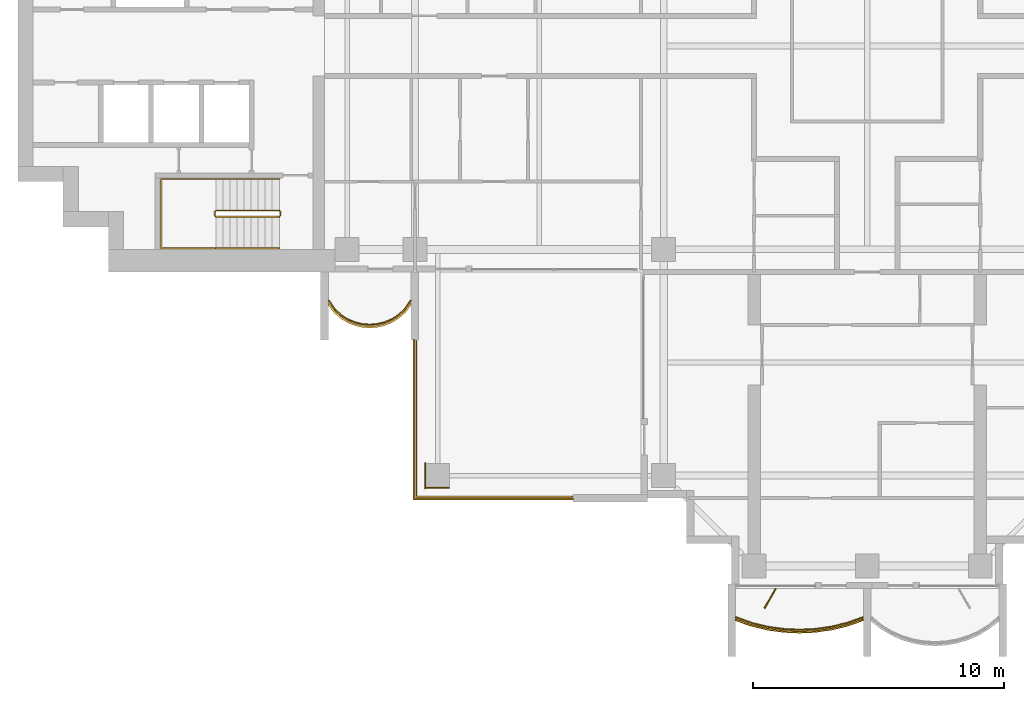
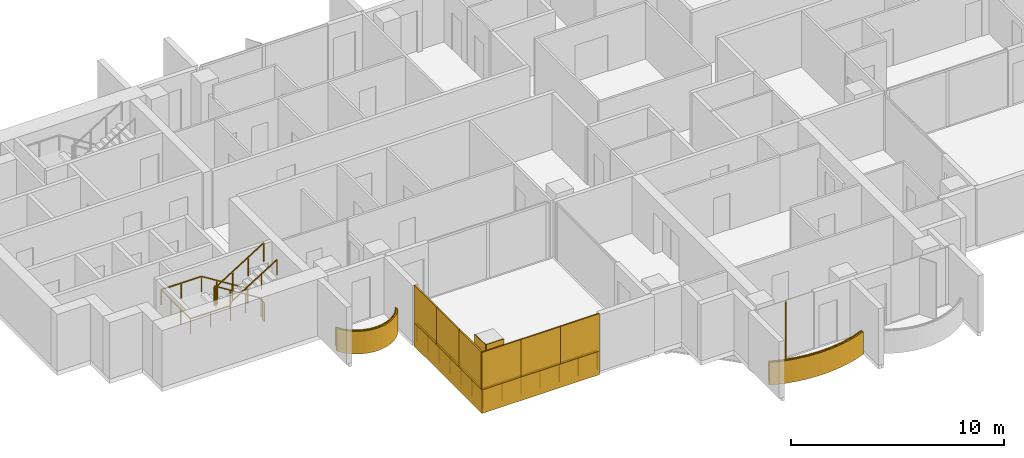
# One storey, part 15 of 18: 11 coverings, 5 railings, 1 shading device.
"""IFC4 building model written with IfcOpenShell, lengths in metres."""

from ifc_helpers import new_model, si_unit, direction, frame, origin, origin_2d, place, context, subcontext, project, spatial, polyline, rectangle, outline, extrude, material, layer, layer_set, type_object, element, save


model = new_model("IFC4")

# Units and contexts
model_context = context("Model", 3, precision=1e-05, world=origin(), true_north=direction((0.0, 1.0)))
body_context = subcontext(model_context, "Body", "Model", "MODEL_VIEW")
ifc_project = project(units=[si_unit("LENGTHUNIT", "METRE"), si_unit("AREAUNIT", "SQUARE_METRE"), si_unit("VOLUMEUNIT", "CUBIC_METRE"), si_unit("PLANEANGLEUNIT", "RADIAN"), si_unit("MASSUNIT", "GRAM", prefix="KILO")], contexts=[model_context])

# Site, building, storey
site_placement = place(None, origin())
site = spatial("IfcSite", under=ifc_project, at=site_placement, CompositionType="ELEMENT")
building_placement = place(site_placement, origin())
building = spatial("IfcBuilding", under=site, at=building_placement, Name="Perihelion Cross Residences", CompositionType="ELEMENT")
storey_placement = place(building_placement, frame((0.0, 0.0, 173.60009765625)))
storey = spatial("IfcBuildingStorey", under=building, at=storey_placement, Name="L42", CompositionType="ELEMENT", Elevation=173.60009765625)

# Coverings
ifc_material_1 = material(Name="Bronze anodised aluminium", Category="aluminium")
ifc_layer_1 = layer(ifc_material_1, 0.070068359375)
ifc_layer_set_1 = layer_set([ifc_layer_1], Name="Balcony fascia 1300")
covering_type_1 = type_object("IfcCoveringType", Name="Balcony fascia 1300", PredefinedType="CLADDING", material=ifc_layer_set_1)
covering_1_placement = place(storey_placement, frame((0.0, 0.0, -0.2001953125)))
element("IfcCovering", 1, at=covering_1_placement, inside=storey, type_object=covering_type_1, Name="Fascia BF1 L42 west side south bay 1", PredefinedType="CLADDING", context=body_context, shape_type="SweptSolid", body=[
    extrude(outline(polyline([(-21.226318359375, -10.616455078125), (-20.94091796875, -10.86328125), (-20.655517578125, -11.031494140625), (-20.370361328125, -11.142578125), (-20.085205078125, -11.206298828125), (-19.800048828125, -11.22705078125), (-19.514892578125, -11.206298828125), (-19.229736328125, -11.142578125), (-18.9443359375, -11.031494140625), (-18.6591796875, -10.86328125), (-18.373779296875, -10.616455078125), (-18.14990234375, -10.31689453125), (-18.14990234375, -10.199951171875), (-18.425048828125, -10.568603515625), (-18.699951171875, -10.806396484375), (-18.97509765625, -10.96875), (-19.25, -11.07568359375), (-19.52490234375, -11.136962890625), (-19.800048828125, -11.156982421875), (-20.074951171875, -11.136962890625), (-20.35009765625, -11.07568359375), (-20.625, -10.96875), (-20.89990234375, -10.806396484375), (-21.175048828125, -10.568603515625), (-21.449951171875, -10.199951171875), (-21.449951171875, -10.31689453125), (-21.226318359375, -10.616455078125)])), origin(), (0.0, 0.0, 1.0), 1.300048828125),
])
covering_2_placement = place(storey_placement, frame((0.0, 0.0, -0.2001953125)))
element("IfcCovering", 2, at=covering_2_placement, inside=storey, type_object=covering_type_1, Name="Fascia BF1 L42 south tip south bay 1", PredefinedType="CLADDING", context=body_context, shape_type="SweptSolid", body=[
    extrude(outline(polyline([(-4.63232421875, -23.090576171875), (-3.98828125, -23.247314453125), (-3.34423828125, -23.339599609375), (-2.699951171875, -23.3701171875), (-2.055908203125, -23.339599609375), (-1.411865234375, -23.247314453125), (-0.767578125, -23.090576171875), (-0.14990234375, -22.874267578125), (-0.14990234375, -22.800048828125), (-0.78759765625, -23.0234375), (-1.425048828125, -23.178466796875), (-2.0625, -23.269775390625), (-2.699951171875, -23.300048828125), (-3.33740234375, -23.269775390625), (-3.97509765625, -23.178466796875), (-4.612548828125, -23.0234375), (-5.25, -22.800048828125), (-5.25, -22.874267578125), (-4.63232421875, -23.090576171875)])), origin(), (0.0, 0.0, 1.0), 1.300048828125),
])

# Railings
ifc_material_2 = material(Name="Bronze anodised aluminium", Category="aluminium")
railing_type_1 = type_object("IfcRailingType", Name="Balcony guard 1100", PredefinedType="GUARDRAIL", material=ifc_material_2)
railing_1_placement = place(storey_placement, frame((-21.425048828125, -10.139892578125, 0.0)))
element("IfcRailing", 3, at=railing_1_placement, inside=storey, type_object=railing_type_1, Name="Guard GU1 L42 west side south bay 1 balcony", PredefinedType="GUARDRAIL", context=body_context, shape_type="SweptSolid", body=[
    extrude(rectangle(XDim=0.048095703125, YDim=0.048095703125, at=origin_2d()), frame((0.0, 0.0, 1.076171875), z_axis=(0.561260132269, -0.827639452857, 0.0), x_axis=(0.827639452857, 0.561260132269, 0.0)), (0.0, 0.0, 1.0), 0.4453125),
    extrude(rectangle(XDim=0.048095703125, YDim=0.048095703125, at=origin_2d()), frame((0.25, -0.36865234375, 1.076171875), z_axis=(0.756596535164, -0.653882009982, 0.0), x_axis=(0.653882009982, 0.756596535164, 0.0)), (0.0, 0.0, 1.0), 0.36376953125),
    extrude(rectangle(XDim=0.048095703125, YDim=0.048095703125, at=origin_2d()), frame((0.525146484375, -0.6064453125, 1.076171875), z_axis=(0.861048292884, -0.508523192511, 0.0), x_axis=(0.508523192511, 0.861048292884, 0.0)), (0.0, 0.0, 1.0), 0.3193359375),
    extrude(rectangle(XDim=0.048095703125, YDim=0.048095703125, at=origin_2d()), frame((0.800048828125, -0.768798828125, 1.076171875), z_axis=(0.931973602183, -0.362526143656, 0.0), x_axis=(0.362526143656, 0.931973602183, 0.0)), (0.0, 0.0, 1.0), 0.294921875),
    extrude(rectangle(XDim=0.048095703125, YDim=0.048095703125, at=origin_2d()), frame((1.074951171875, -0.875732421875, 1.076171875), z_axis=(0.976085059389, -0.21738895289, 0.0), x_axis=(0.21738895289, 0.976085059389, 0.0)), (0.0, 0.0, 1.0), 0.281982421875),
    extrude(rectangle(XDim=0.048095703125, YDim=0.048095703125, at=origin_2d()), frame((1.35009765625, -0.93701171875, 1.076171875), z_axis=(0.997358821833, -0.072631814734, 0.0), x_axis=(0.072631814734, 0.997358821833, 0.0)), (0.0, 0.0, 1.0), 0.275634765625),
    extrude(rectangle(XDim=0.048095703125, YDim=0.048095703125, at=origin_2d()), frame((1.625, -0.95703125, 1.076171875), z_axis=(0.997363488337, 0.072567707226, 0.0), x_axis=(-0.072567707226, 0.997363488337, 0.0)), (0.0, 0.0, 1.0), 0.27587890625),
    extrude(rectangle(XDim=0.048095703125, YDim=0.048095703125, at=origin_2d()), frame((1.900146484375, -0.93701171875, 1.076171875), z_axis=(0.976044077717, 0.217572880557, 0.0), x_axis=(-0.217572880557, 0.976044077717, 0.0)), (0.0, 0.0, 1.0), 0.28173828125),
    extrude(rectangle(XDim=0.048095703125, YDim=0.048095703125, at=origin_2d()), frame((2.175048828125, -0.875732421875, 1.076171875), z_axis=(0.931973602183, 0.362526143656, 0.0), x_axis=(-0.362526143656, 0.931973602183, 0.0)), (0.0, 0.0, 1.0), 0.294921875),
    extrude(rectangle(XDim=0.048095703125, YDim=0.048095703125, at=origin_2d()), frame((2.449951171875, -0.768798828125, 1.076171875), z_axis=(0.861245845072, 0.508188542123, 0.0), x_axis=(-0.508188542123, 0.861245845072, 0.0)), (0.0, 0.0, 1.0), 0.319580078125),
    extrude(rectangle(XDim=0.048095703125, YDim=0.048095703125, at=origin_2d()), frame((2.72509765625, -0.6064453125, 1.076171875), z_axis=(0.756309278473, 0.654214242658, 0.0), x_axis=(-0.654214242658, 0.756309278473, 0.0)), (0.0, 0.0, 1.0), 0.363525390625),
    extrude(rectangle(XDim=0.048095703125, YDim=0.048095703125, at=origin_2d()), frame((3.0, -0.36865234375, 1.076171875), z_axis=(0.561260132269, 0.827639452857, 0.0), x_axis=(-0.827639452857, 0.561260132269, 0.0)), (0.0, 0.0, 1.0), 0.4453125),
    extrude(rectangle(XDim=0.0419921875, YDim=0.0419921875, at=origin_2d()), origin(), (0.0, 0.0, 1.0), 1.052001953125),
    extrude(rectangle(XDim=0.0419921875, YDim=0.0419921875, at=origin_2d()), frame((0.25, -0.36865234375, 0.0)), (0.0, 0.0, 1.0), 1.052001953125),
    extrude(rectangle(XDim=0.0419921875, YDim=0.0419921875, at=origin_2d()), frame((0.525146484375, -0.6064453125, 0.0)), (0.0, 0.0, 1.0), 1.052001953125),
    extrude(rectangle(XDim=0.0419921875, YDim=0.0419921875, at=origin_2d()), frame((0.800048828125, -0.768798828125, 0.0)), (0.0, 0.0, 1.0), 1.052001953125),
    extrude(rectangle(XDim=0.0419921875, YDim=0.0419921875, at=origin_2d()), frame((1.074951171875, -0.875732421875, 0.0)), (0.0, 0.0, 1.0), 1.052001953125),
    extrude(rectangle(XDim=0.0419921875, YDim=0.0419921875, at=origin_2d()), frame((1.35009765625, -0.93701171875, 0.0)), (0.0, 0.0, 1.0), 1.052001953125),
    extrude(rectangle(XDim=0.0419921875, YDim=0.0419921875, at=origin_2d()), frame((1.625, -0.95703125, 0.0)), (0.0, 0.0, 1.0), 1.052001953125),
    extrude(rectangle(XDim=0.0419921875, YDim=0.0419921875, at=origin_2d()), frame((1.900146484375, -0.93701171875, 0.0)), (0.0, 0.0, 1.0), 1.052001953125),
    extrude(rectangle(XDim=0.0419921875, YDim=0.0419921875, at=origin_2d()), frame((2.175048828125, -0.875732421875, 0.0)), (0.0, 0.0, 1.0), 1.052001953125),
    extrude(rectangle(XDim=0.0419921875, YDim=0.0419921875, at=origin_2d()), frame((2.449951171875, -0.768798828125, 0.0)), (0.0, 0.0, 1.0), 1.052001953125),
    extrude(rectangle(XDim=0.0419921875, YDim=0.0419921875, at=origin_2d()), frame((2.72509765625, -0.6064453125, 0.0)), (0.0, 0.0, 1.0), 1.052001953125),
    extrude(rectangle(XDim=0.0419921875, YDim=0.0419921875, at=origin_2d()), frame((3.0, -0.36865234375, 0.0)), (0.0, 0.0, 1.0), 1.052001953125),
    extrude(rectangle(XDim=0.0419921875, YDim=0.0419921875, at=origin_2d()), frame((3.25, 0.0, 0.0)), (0.0, 0.0, 1.0), 1.052001953125),
])
railing_2_placement = place(storey_placement, frame((-5.22509765625, -22.739990234375, 0.0)))
element("IfcRailing", 4, at=railing_2_placement, inside=storey, type_object=railing_type_1, Name="Guard GU1 L42 south tip south bay 1 balcony", PredefinedType="GUARDRAIL", context=body_context, shape_type="SweptSolid", body=[
    extrude(rectangle(XDim=0.048095703125, YDim=0.048095703125, at=origin_2d()), frame((0.0, 0.0, 1.076171875), z_axis=(0.939355405384, -0.342945217749, 0.0), x_axis=(0.342945217749, 0.939355405384, 0.0)), (0.0, 0.0, 1.0), 0.652099609375),
    extrude(rectangle(XDim=0.048095703125, YDim=0.048095703125, at=origin_2d()), frame((0.612548828125, -0.2236328125, 1.076171875), z_axis=(0.971676841941, -0.236313594268, 0.0), x_axis=(0.236313594268, 0.971676841941, 0.0)), (0.0, 0.0, 1.0), 0.656005859375),
    extrude(rectangle(XDim=0.048095703125, YDim=0.048095703125, at=origin_2d()), frame((1.25, -0.378662109375, 1.076171875), z_axis=(0.989903964498, -0.141739694763, 0.0), x_axis=(0.141739694763, 0.989903964498, 0.0)), (0.0, 0.0, 1.0), 0.644287109375),
    extrude(rectangle(XDim=0.048095703125, YDim=0.048095703125, at=origin_2d()), frame((1.8876953125, -0.469970703125, 1.076171875), z_axis=(0.998892243319, -0.04705620296, 0.0), x_axis=(0.04705620296, 0.998892243319, 0.0)), (0.0, 0.0, 1.0), 0.63818359375),
    extrude(rectangle(XDim=0.048095703125, YDim=0.048095703125, at=origin_2d()), frame((2.525146484375, -0.5, 1.076171875), z_axis=(0.998892243319, 0.04705620296, 0.0), x_axis=(-0.04705620296, 0.998892243319, 0.0)), (0.0, 0.0, 1.0), 0.63818359375),
    extrude(rectangle(XDim=0.048095703125, YDim=0.048095703125, at=origin_2d()), frame((3.16259765625, -0.469970703125, 1.076171875), z_axis=(0.989896346386, 0.141792889142, 0.0), x_axis=(-0.141792889142, 0.989896346386, 0.0)), (0.0, 0.0, 1.0), 0.64404296875),
    extrude(rectangle(XDim=0.048095703125, YDim=0.048095703125, at=origin_2d()), frame((3.800048828125, -0.378662109375, 1.076171875), z_axis=(0.971676841941, 0.236313594268, 0.0), x_axis=(-0.236313594268, 0.971676841941, 0.0)), (0.0, 0.0, 1.0), 0.656005859375),
    extrude(rectangle(XDim=0.048095703125, YDim=0.048095703125, at=origin_2d()), frame((4.4375, -0.2236328125, 1.076171875), z_axis=(0.939355405384, 0.342945217749, 0.0), x_axis=(-0.342945217749, 0.939355405384, 0.0)), (0.0, 0.0, 1.0), 0.652099609375),
    extrude(rectangle(XDim=0.0419921875, YDim=0.0419921875, at=origin_2d()), origin(), (0.0, 0.0, 1.0), 1.052001953125),
    extrude(rectangle(XDim=0.0419921875, YDim=0.0419921875, at=origin_2d()), frame((0.612548828125, -0.2236328125, 0.0)), (0.0, 0.0, 1.0), 1.052001953125),
    extrude(rectangle(XDim=0.0419921875, YDim=0.0419921875, at=origin_2d()), frame((1.25, -0.378662109375, 0.0)), (0.0, 0.0, 1.0), 1.052001953125),
    extrude(rectangle(XDim=0.0419921875, YDim=0.0419921875, at=origin_2d()), frame((1.8876953125, -0.469970703125, 0.0)), (0.0, 0.0, 1.0), 1.052001953125),
    extrude(rectangle(XDim=0.0419921875, YDim=0.0419921875, at=origin_2d()), frame((2.525146484375, -0.5, 0.0)), (0.0, 0.0, 1.0), 1.052001953125),
    extrude(rectangle(XDim=0.0419921875, YDim=0.0419921875, at=origin_2d()), frame((3.16259765625, -0.469970703125, 0.0)), (0.0, 0.0, 1.0), 1.052001953125),
    extrude(rectangle(XDim=0.0419921875, YDim=0.0419921875, at=origin_2d()), frame((3.800048828125, -0.378662109375, 0.0)), (0.0, 0.0, 1.0), 1.052001953125),
    extrude(rectangle(XDim=0.0419921875, YDim=0.0419921875, at=origin_2d()), frame((4.4375, -0.2236328125, 0.0)), (0.0, 0.0, 1.0), 1.052001953125),
    extrude(rectangle(XDim=0.0419921875, YDim=0.0419921875, at=origin_2d()), frame((5.050048828125, 0.0, 0.0)), (0.0, 0.0, 1.0), 1.052001953125),
])
railing_3_placement = place(storey_placement, frame((-11.739990234375, -17.93994140625, 0.0)))
element("IfcRailing", 5, at=railing_3_placement, inside=storey, type_object=railing_type_1, Name="Guard GU1 L42 pocket south-west 1", PredefinedType="GUARDRAIL", context=body_context, shape_type="SweptSolid", body=[
    extrude(rectangle(XDim=0.048095703125, YDim=0.048095703125, at=origin_2d()), frame((0.0, 0.0, 1.076171875), z_axis=(-1.0, 0.0, 0.0), x_axis=(0.0, -1.0, 0.0)), (0.0, 0.0, 1.0), 6.199951171875),
    extrude(rectangle(XDim=0.048095703125, YDim=0.048095703125, at=origin_2d()), frame((-6.199951171875, 0.0, 1.076171875), z_axis=(0.0, 1.0, 0.0), x_axis=(-1.0, 0.0, 0.0)), (0.0, 0.0, 1.0), 6.199951171875),
    extrude(rectangle(XDim=0.0419921875, YDim=0.0419921875, at=origin_2d()), origin(), (0.0, 0.0, 1.0), 1.052001953125),
    extrude(rectangle(XDim=0.0419921875, YDim=0.0419921875, at=origin_2d()), frame((-1.033203125, 0.0, 0.0)), (0.0, 0.0, 1.0), 1.052001953125),
    extrude(rectangle(XDim=0.0419921875, YDim=0.0419921875, at=origin_2d()), frame((-2.066650390625, 0.0, 0.0)), (0.0, 0.0, 1.0), 1.052001953125),
    extrude(rectangle(XDim=0.0419921875, YDim=0.0419921875, at=origin_2d()), frame((-3.10009765625, 0.0, 0.0)), (0.0, 0.0, 1.0), 1.052001953125),
    extrude(rectangle(XDim=0.0419921875, YDim=0.0419921875, at=origin_2d()), frame((-4.13330078125, 0.0, 0.0)), (0.0, 0.0, 1.0), 1.052001953125),
    extrude(rectangle(XDim=0.0419921875, YDim=0.0419921875, at=origin_2d()), frame((-5.16650390625, 0.0, 0.0)), (0.0, 0.0, 1.0), 1.052001953125),
    extrude(rectangle(XDim=0.0419921875, YDim=0.0419921875, at=origin_2d()), frame((-6.199951171875, 0.0, 0.0)), (0.0, 0.0, 1.0), 1.052001953125),
    extrude(rectangle(XDim=0.0419921875, YDim=0.0419921875, at=origin_2d()), frame((-6.199951171875, 1.033203125, 0.0)), (0.0, 0.0, 1.0), 1.052001953125),
    extrude(rectangle(XDim=0.0419921875, YDim=0.0419921875, at=origin_2d()), frame((-6.199951171875, 2.066650390625, 0.0)), (0.0, 0.0, 1.0), 1.052001953125),
    extrude(rectangle(XDim=0.0419921875, YDim=0.0419921875, at=origin_2d()), frame((-6.199951171875, 3.10009765625, 0.0)), (0.0, 0.0, 1.0), 1.052001953125),
    extrude(rectangle(XDim=0.0419921875, YDim=0.0419921875, at=origin_2d()), frame((-6.199951171875, 4.13330078125, 0.0)), (0.0, 0.0, 1.0), 1.052001953125),
    extrude(rectangle(XDim=0.0419921875, YDim=0.0419921875, at=origin_2d()), frame((-6.199951171875, 5.16650390625, 0.0)), (0.0, 0.0, 1.0), 1.052001953125),
    extrude(rectangle(XDim=0.0419921875, YDim=0.0419921875, at=origin_2d()), frame((-6.199951171875, 6.199951171875, 0.0)), (0.0, 0.0, 1.0), 1.052001953125),
])

# Coverings
ifc_material_3 = material(Name="Bronze anodised aluminium", Category="aluminium")
ifc_layer_2 = layer(ifc_material_3, 0.0400390625)
ifc_layer_set_2 = layer_set([ifc_layer_2], Name="Bronze column casing 40")
covering_type_2 = type_object("IfcCoveringType", Name="Bronze column casing 40", PredefinedType="CLADDING", material=ifc_layer_set_2)
covering_3_placement = place(storey_placement, frame((-17.594970703125, -17.10009765625, -0.25), z_axis=(0.0, 0.0, 1.0), x_axis=(1.0, 0.0, 0.0)))
element("IfcCovering", 6, at=covering_3_placement, inside=storey, type_object=covering_type_2, Name="Cladding CC1 L42 casing east-west no. 1", PredefinedType="CLADDING", context=body_context, shape_type="SweptSolid", body=[
    extrude(rectangle(XDim=0.0400390625, YDim=1.030029296875, at=origin_2d()), origin(), (0.0, 0.0, 1.0), 3.5),
])
covering_4_placement = place(storey_placement, frame((-17.10009765625, -17.594970703125, -0.25), z_axis=(0.0, 0.0, 1.0), x_axis=(1.0, 0.0, 0.0)))
element("IfcCovering", 7, at=covering_4_placement, inside=storey, type_object=covering_type_2, Name="Cladding CC1 L42 casing north-south no. 1", PredefinedType="CLADDING", context=body_context, shape_type="SweptSolid", body=[
    extrude(rectangle(XDim=0.949951171875, YDim=0.0400390625, at=origin_2d()), origin(), (0.0, 0.0, 1.0), 3.5),
])

# Shading device
ifc_material_4 = material(Name="Bronze anodised aluminium", Category="aluminium")
ifc_layer_3 = layer(ifc_material_4, 0.050048828125)
ifc_layer_set_3 = layer_set([ifc_layer_3], Name="Bronze fin 900")
shading_device_type = type_object("IfcShadingDeviceType", Name="Bronze fin 900", PredefinedType="USERDEFINED", material=ifc_layer_set_3)
shading_device_placement = place(storey_placement, frame((-3.862548828125, -21.98974609375, 0.0), z_axis=(0.0, 0.0, 1.0), x_axis=(-0.5, -0.866025403784, 0.0)))
element("IfcShadingDevice", 8, at=shading_device_placement, inside=storey, type_object=shading_device_type, Name="Fin FN1 L42 south tip south bay 1", ObjectType="FIN", PredefinedType="USERDEFINED", context=body_context, shape_type="SweptSolid", body=[
    extrude(rectangle(XDim=0.89990234375, YDim=0.050048828125, at=origin_2d()), origin(), (0.0, 0.0, 1.0), 3.25),
])

# Coverings
ifc_material_5 = material(Name="Bronze anodised aluminium", Category="aluminium")
ifc_layer_4 = layer(ifc_material_5, 0.070068359375)
ifc_layer_set_4 = layer_set([ifc_layer_4], Name="Pocket fascia 1350")
covering_type_3 = type_object("IfcCoveringType", Name="Pocket fascia 1350", PredefinedType="CLADDING", material=ifc_layer_set_4)
covering_5_placement = place(storey_placement, frame((0.0, 0.0, -0.25)))
element("IfcCovering", 9, at=covering_5_placement, inside=storey, type_object=covering_type_3, Name="Fascia BF2 L42 pocket south-west 1", PredefinedType="CLADDING", context=body_context, shape_type="SweptSolid", body=[
    extrude(outline(polyline([(-18.070068359375, -11.699951171875), (-18.070068359375, -18.070068359375), (-11.699951171875, -18.070068359375), (-11.699951171875, -18.0), (-18.0, -18.0), (-18.0, -11.699951171875), (-18.070068359375, -11.699951171875)])), origin(), (0.0, 0.0, 1.0), 1.349853515625),
])
ifc_material_6 = material(Name="Bronze perforated aluminium", Category="aluminium")
ifc_layer_5 = layer(ifc_material_6, 0.070068359375)
ifc_layer_set_5 = layer_set([ifc_layer_5], Name="Pocket solar screen, bronze perforated")
covering_type_4 = type_object("IfcCoveringType", Name="Pocket solar screen, bronze perforated", PredefinedType="CLADDING", material=ifc_layer_set_5)
covering_6_placement = place(storey_placement, frame((0.0, 0.0, 1.099853515625)))
element("IfcCovering", 10, at=covering_6_placement, inside=storey, type_object=covering_type_4, Name="Solar screen PS1 L42 pocket south-west no. 1", PredefinedType="CLADDING", context=body_context, shape_type="SweptSolid", body=[
    extrude(outline(polyline([(-18.0, -18.0), (-18.0, -15.89990234375), (-18.070068359375, -15.89990234375), (-18.070068359375, -18.0), (-18.0, -18.0)])), origin(), (0.0, 0.0, 1.0), 2.150146484375),
])
covering_7_placement = place(storey_placement, frame((0.0, 0.0, 1.099853515625)))
element("IfcCovering", 11, at=covering_7_placement, inside=storey, type_object=covering_type_4, Name="Solar screen PS1 L42 pocket south-west no. 2", PredefinedType="CLADDING", context=body_context, shape_type="SweptSolid", body=[
    extrude(outline(polyline([(-18.0, -15.89990234375), (-18.0, -13.800048828125), (-18.070068359375, -13.800048828125), (-18.070068359375, -15.89990234375), (-18.0, -15.89990234375)])), origin(), (0.0, 0.0, 1.0), 2.150146484375),
])
covering_8_placement = place(storey_placement, frame((0.0, 0.0, 1.099853515625)))
element("IfcCovering", 12, at=covering_8_placement, inside=storey, type_object=covering_type_4, Name="Solar screen PS1 L42 pocket south-west no. 3", PredefinedType="CLADDING", context=body_context, shape_type="SweptSolid", body=[
    extrude(outline(polyline([(-18.0, -13.800048828125), (-18.0, -11.699951171875), (-18.070068359375, -11.699951171875), (-18.070068359375, -13.800048828125), (-18.0, -13.800048828125)])), origin(), (0.0, 0.0, 1.0), 2.150146484375),
])
covering_9_placement = place(storey_placement, frame((0.0, 0.0, 1.099853515625)))
element("IfcCovering", 13, at=covering_9_placement, inside=storey, type_object=covering_type_4, Name="Solar screen PS1 L42 pocket south-west no. 4", PredefinedType="CLADDING", context=body_context, shape_type="SweptSolid", body=[
    extrude(outline(polyline([(-15.94677734375, -18.070068359375), (-15.94677734375, -18.0), (-18.070068359375, -18.0), (-18.070068359375, -18.070068359375), (-15.94677734375, -18.070068359375)])), origin(), (0.0, 0.0, 1.0), 2.150146484375),
])
covering_10_placement = place(storey_placement, frame((0.0, 0.0, 1.099853515625)))
element("IfcCovering", 14, at=covering_10_placement, inside=storey, type_object=covering_type_4, Name="Solar screen PS1 L42 pocket south-west no. 5", PredefinedType="CLADDING", context=body_context, shape_type="SweptSolid", body=[
    extrude(outline(polyline([(-13.8232421875, -18.070068359375), (-13.8232421875, -18.0), (-15.94677734375, -18.0), (-15.94677734375, -18.070068359375), (-13.8232421875, -18.070068359375)])), origin(), (0.0, 0.0, 1.0), 2.150146484375),
])
covering_11_placement = place(storey_placement, frame((0.0, 0.0, 1.099853515625)))
element("IfcCovering", 15, at=covering_11_placement, inside=storey, type_object=covering_type_4, Name="Solar screen PS1 L42 pocket south-west no. 6", PredefinedType="CLADDING", context=body_context, shape_type="SweptSolid", body=[
    extrude(outline(polyline([(-11.699951171875, -18.070068359375), (-11.699951171875, -18.0), (-13.8232421875, -18.0), (-13.8232421875, -18.070068359375), (-11.699951171875, -18.070068359375)])), origin(), (0.0, 0.0, 1.0), 2.150146484375),
])

# Railings
ifc_material_7 = material(Name="Stainless steel", Category="steel")
railing_type_2 = type_object("IfcRailingType", Name="Stair guard 1100", PredefinedType="GUARDRAIL", material=ifc_material_7)
railing_4_placement = place(storey_placement, frame((-23.35009765625, -6.75, 0.0)))
element("IfcRailing", 16, at=railing_4_placement, inside=storey, type_object=railing_type_2, Name="L42 ST-W2 stair guard 1", PredefinedType="GUARDRAIL", context=body_context, shape_type="SweptSolid", body=[
    extrude(rectangle(XDim=0.048095703125, YDim=0.048095703125, at=origin_2d()), frame((0.0, 0.0, 1.076171875), z_axis=(0.0, 1.0, 0.0), x_axis=(-1.0, 0.0, 0.0)), (0.0, 0.0, 1.0), 0.14990234375),
    extrude(rectangle(XDim=0.048095703125, YDim=0.048095703125, at=origin_2d()), frame((0.0, 0.14990234375, 1.076171875), z_axis=(-0.264179342666, 0.265474339444, 0.927217692888), x_axis=(-0.708833529934, -0.705375805398, 0.0)), (0.0, 0.0, 1.0), 0.1884765625),
    extrude(rectangle(XDim=0.048095703125, YDim=0.048095703125, at=origin_2d()), frame((-0.0498046875, 0.199951171875, 1.2509765625), z_axis=(-0.847970611238, 0.0, 0.530043245855), x_axis=(0.0, -1.0, 0.0)), (0.0, 0.0, 1.0), 2.971923828125),
    extrude(rectangle(XDim=0.048095703125, YDim=0.048095703125, at=origin_2d()), frame((-2.56982421875, 0.199951171875, 2.826171875), z_axis=(-0.707106781187, -0.707106781187, 0.0), x_axis=(0.707106781187, -0.707106781187, 0.0)), (0.0, 0.0, 1.0), 0.07080078125),
    extrude(rectangle(XDim=0.048095703125, YDim=0.048095703125, at=origin_2d()), frame((-2.619873046875, 0.14990234375, 2.826171875), z_axis=(0.0, -1.0, 0.0), x_axis=(1.0, 0.0, 0.0)), (0.0, 0.0, 1.0), 0.14990234375),
    extrude(rectangle(XDim=0.048095703125, YDim=0.048095703125, at=origin_2d()), frame((-2.619873046875, 0.0, 2.826171875), z_axis=(0.265383341853, -0.265383341853, 0.926899867156), x_axis=(0.707106781187, 0.707106781187, 0.0)), (0.0, 0.0, 1.0), 0.1884765625),
    extrude(rectangle(XDim=0.048095703125, YDim=0.048095703125, at=origin_2d()), frame((-2.56982421875, -0.050048828125, 3.0009765625), z_axis=(0.847970611238, 0.0, 0.530043245855), x_axis=(0.0, 1.0, 0.0)), (0.0, 0.0, 1.0), 2.971923828125),
    extrude(rectangle(XDim=0.0419921875, YDim=0.0419921875, at=origin_2d()), origin(), (0.0, 0.0, 1.0), 1.052001953125),
    extrude(rectangle(XDim=0.0419921875, YDim=0.0419921875, at=origin_2d()), frame((0.0, 0.14990234375, 0.0)), (0.0, 0.0, 1.0), 1.052001953125),
    extrude(rectangle(XDim=0.0419921875, YDim=0.0419921875, at=origin_2d()), frame((-0.0498046875, 0.199951171875, 0.1748046875)), (0.0, 0.0, 1.0), 1.052001953125),
    extrude(rectangle(XDim=0.0419921875, YDim=0.0419921875, at=origin_2d()), frame((-0.889892578125, 0.199951171875, 0.699951171875)), (0.0, 0.0, 1.0), 1.052001953125),
    extrude(rectangle(XDim=0.0419921875, YDim=0.0419921875, at=origin_2d()), frame((-1.729736328125, 0.199951171875, 1.224853515625)), (0.0, 0.0, 1.0), 1.052001953125),
    extrude(rectangle(XDim=0.0419921875, YDim=0.0419921875, at=origin_2d()), frame((-2.56982421875, 0.199951171875, 1.75)), (0.0, 0.0, 1.0), 1.052001953125),
    extrude(rectangle(XDim=0.0419921875, YDim=0.0419921875, at=origin_2d()), frame((-2.619873046875, 0.14990234375, 1.75)), (0.0, 0.0, 1.0), 1.052001953125),
    extrude(rectangle(XDim=0.0419921875, YDim=0.0419921875, at=origin_2d()), frame((-2.619873046875, 0.0, 1.75)), (0.0, 0.0, 1.0), 1.052001953125),
    extrude(rectangle(XDim=0.0419921875, YDim=0.0419921875, at=origin_2d()), frame((-2.56982421875, -0.050048828125, 1.9248046875)), (0.0, 0.0, 1.0), 1.052001953125),
    extrude(rectangle(XDim=0.0419921875, YDim=0.0419921875, at=origin_2d()), frame((-1.729736328125, -0.050048828125, 2.449951171875)), (0.0, 0.0, 1.0), 1.052001953125),
    extrude(rectangle(XDim=0.0419921875, YDim=0.0419921875, at=origin_2d()), frame((-0.889892578125, -0.050048828125, 2.974853515625)), (0.0, 0.0, 1.0), 1.052001953125),
    extrude(rectangle(XDim=0.0419921875, YDim=0.0419921875, at=origin_2d()), frame((-0.0498046875, -0.050048828125, 3.5)), (0.0, 0.0, 1.0), 1.052001953125),
])
ifc_material_8 = material(Name="Stainless steel", Category="steel")
railing_type_3 = type_object("IfcRailingType", Name="Stair handrail 900", PredefinedType="HANDRAIL", material=ifc_material_8)
railing_5_placement = place(storey_placement, frame((-23.39990234375, -5.300048828125, 0.1748046875)))
element("IfcRailing", 17, at=railing_5_placement, inside=storey, type_object=railing_type_3, Name="L42 ST-W2 stair handrail 1", PredefinedType="HANDRAIL", context=body_context, shape_type="SweptSolid", body=[
    extrude(rectangle(XDim=0.048095703125, YDim=0.048095703125, at=origin_2d()), frame((0.0, 0.0, 0.8759765625), z_axis=(-0.847970611238, 0.0, 0.530043245855), x_axis=(0.0, -1.0, 0.0)), (0.0, 0.0, 1.0), 2.971923828125),
    extrude(rectangle(XDim=0.048095703125, YDim=0.048095703125, at=origin_2d()), frame((-2.52001953125, 0.0, 2.451171875), z_axis=(-1.0, 0.0, 0.0), x_axis=(0.0, -1.0, 0.0)), (0.0, 0.0, 1.0), 2.18017578125),
    extrude(rectangle(XDim=0.048095703125, YDim=0.048095703125, at=origin_2d()), frame((-4.7001953125, 0.0, 2.451171875), z_axis=(0.0, -1.0, 0.0), x_axis=(1.0, 0.0, 0.0)), (0.0, 0.0, 1.0), 2.75),
    extrude(rectangle(XDim=0.048095703125, YDim=0.048095703125, at=origin_2d()), frame((-4.7001953125, -2.75, 2.451171875), z_axis=(1.0, 0.0, 0.0), x_axis=(0.0, 1.0, 0.0)), (0.0, 0.0, 1.0), 2.18017578125),
    extrude(rectangle(XDim=0.048095703125, YDim=0.048095703125, at=origin_2d()), frame((-2.52001953125, -2.75, 2.451171875), z_axis=(0.0, 0.0, 1.0), x_axis=(1.0, 0.0, 0.0)), (0.0, 0.0, 1.0), 0.1748046875),
    extrude(rectangle(XDim=0.048095703125, YDim=0.048095703125, at=origin_2d()), frame((-2.52001953125, -2.75, 2.6259765625), z_axis=(0.847970611238, 0.0, 0.530043245855), x_axis=(0.0, 1.0, 0.0)), (0.0, 0.0, 1.0), 2.971923828125),
    extrude(rectangle(XDim=0.0419921875, YDim=0.0419921875, at=origin_2d()), origin(), (0.0, 0.0, 1.0), 0.851806640625),
    extrude(rectangle(XDim=0.0419921875, YDim=0.0419921875, at=origin_2d()), frame((-0.840087890625, 0.0, 0.525146484375)), (0.0, 0.0, 1.0), 0.851806640625),
    extrude(rectangle(XDim=0.0419921875, YDim=0.0419921875, at=origin_2d()), frame((-1.679931640625, 0.0, 1.050048828125)), (0.0, 0.0, 1.0), 0.851806640625),
    extrude(rectangle(XDim=0.0419921875, YDim=0.0419921875, at=origin_2d()), frame((-2.52001953125, 0.0, 1.5751953125)), (0.0, 0.0, 1.0), 0.851806640625),
    extrude(rectangle(XDim=0.0419921875, YDim=0.0419921875, at=origin_2d()), frame((-3.610107421875, 0.0, 1.5751953125)), (0.0, 0.0, 1.0), 0.851806640625),
    extrude(rectangle(XDim=0.0419921875, YDim=0.0419921875, at=origin_2d()), frame((-4.7001953125, 0.0, 1.5751953125)), (0.0, 0.0, 1.0), 0.851806640625),
    extrude(rectangle(XDim=0.0419921875, YDim=0.0419921875, at=origin_2d()), frame((-4.7001953125, -0.916748046875, 1.5751953125)), (0.0, 0.0, 1.0), 0.851806640625),
    extrude(rectangle(XDim=0.0419921875, YDim=0.0419921875, at=origin_2d()), frame((-4.7001953125, -1.833251953125, 1.5751953125)), (0.0, 0.0, 1.0), 0.851806640625),
    extrude(rectangle(XDim=0.0419921875, YDim=0.0419921875, at=origin_2d()), frame((-4.7001953125, -2.75, 1.5751953125)), (0.0, 0.0, 1.0), 0.851806640625),
    extrude(rectangle(XDim=0.0419921875, YDim=0.0419921875, at=origin_2d()), frame((-3.610107421875, -2.75, 1.5751953125)), (0.0, 0.0, 1.0), 0.851806640625),
    extrude(rectangle(XDim=0.0419921875, YDim=0.0419921875, at=origin_2d()), frame((-2.52001953125, -2.75, 1.5751953125)), (0.0, 0.0, 1.0), 0.851806640625),
    extrude(rectangle(XDim=0.0419921875, YDim=0.0419921875, at=origin_2d()), frame((-2.52001953125, -2.75, 1.75)), (0.0, 0.0, 1.0), 0.851806640625),
    extrude(rectangle(XDim=0.0419921875, YDim=0.0419921875, at=origin_2d()), frame((-1.679931640625, -2.75, 2.275146484375)), (0.0, 0.0, 1.0), 0.851806640625),
    extrude(rectangle(XDim=0.0419921875, YDim=0.0419921875, at=origin_2d()), frame((-0.840087890625, -2.75, 2.800048828125)), (0.0, 0.0, 1.0), 0.851806640625),
    extrude(rectangle(XDim=0.0419921875, YDim=0.0419921875, at=origin_2d()), frame((0.0, -2.75, 3.3251953125)), (0.0, 0.0, 1.0), 0.851806640625),
])

save(model, "model.ifc")
